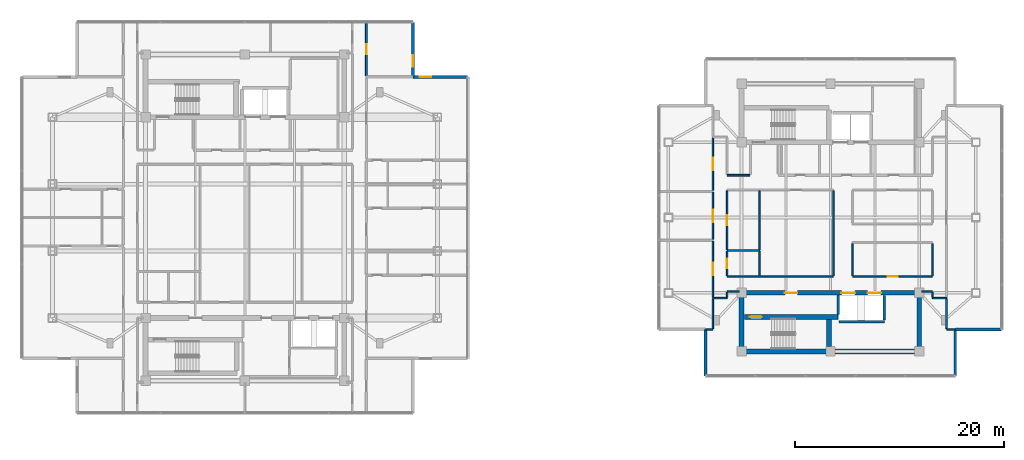
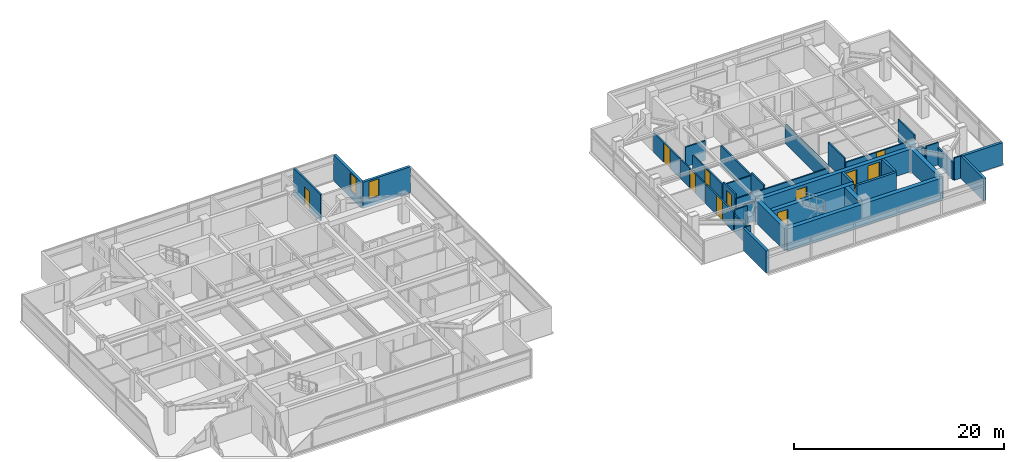
# One storey, part 14 of 21: 39 walls, 11 doors, 2 windows, 13 openings.
"""IFC4 building model written with IfcOpenShell, lengths in metres."""

from ifc_helpers import new_model, si_unit, direction, frame, frame_2d, origin, place, context, subcontext, project, spatial, rectangle, extrude, material, layer, layer_set, type_object, element, fill, save


model = new_model("IFC4")

# Units and contexts
model_context = context("Model", 3, precision=1e-05, world=origin(), true_north=direction((0.0, 1.0)))
body_context = subcontext(model_context, "Body", "Model", "MODEL_VIEW")
ifc_project = project(units=[si_unit("LENGTHUNIT", "METRE"), si_unit("AREAUNIT", "SQUARE_METRE"), si_unit("VOLUMEUNIT", "CUBIC_METRE"), si_unit("PLANEANGLEUNIT", "RADIAN"), si_unit("MASSUNIT", "GRAM", prefix="KILO")], contexts=[model_context])

# Site, building, storey
site_placement = place(None, origin())
site = spatial("IfcSite", under=ifc_project, at=site_placement, CompositionType="ELEMENT")
building_placement = place(site_placement, origin())
building = spatial("IfcBuilding", under=site, at=building_placement, Name="Mirazonda Arch Towers", CompositionType="ELEMENT")
storey_placement = place(building_placement, frame((0.0, 0.0, 206.39990234375)))
storey = spatial("IfcBuildingStorey", under=building, at=storey_placement, Name="L59", CompositionType="ELEMENT", Elevation=206.39990234375)

# Walls
ifc_material_1 = material(Name="Concrete C50/60", Category="concrete")
ifc_layer_1 = layer(ifc_material_1, 0.449951171875, Name="WALL-CORE-450")
ifc_layer_set_1 = layer_set([ifc_layer_1], Name="Concrete C50/60")
wall_type_1 = type_object("IfcWallType", Name="WALL-CORE-450", PredefinedType="SHEAR", material=ifc_layer_set_1)
wall_1_placement = place(storey_placement, frame((68.0, 15.199951171875, 0.0), z_axis=(0.0, 0.0, 1.0), x_axis=(1.0, 0.0, 0.0)))
element("IfcWall", 1, at=wall_1_placement, inside=storey, type_object=wall_type_1, Name="L59 T2S-S Core Shear Wall", PredefinedType="SHEAR", context=body_context, shape_type="SweptSolid", body=[
    extrude(rectangle(XDim=17.0, YDim=0.449951171875, at=frame_2d((8.5, 0.0))), origin(), (0.0, 0.0, 1.0), 2.60009765625),
])
for number, where, z_axis, x_axis, name in (
    (2, (68.0, 15.199951171875, 0.0), (0.0, 0.0, 1.0), (0.0, 1.0, 0.0), "L59 T2S-W Core Shear Wall"),
    (3, (85.0, 15.199951171875, 0.0), (0.0, 0.0, 1.0), (0.0, 1.0, 0.0), "L59 T2S-E Core Shear Wall"),
):
    element("IfcWall", number, at=place(storey_placement, frame(where, z_axis=z_axis, x_axis=x_axis)), inside=storey, type_object=wall_type_1, Name=name, PredefinedType="SHEAR", context=body_context, shape_type="SweptSolid", body=[
        extrude(rectangle(XDim=5.60009765625, YDim=0.449951171875, at=frame_2d((2.800048828125, 0.0))), origin(), (0.0, 0.0, 1.0), 2.60009765625),
    ])

# Wall, openings, doors
wall_2_placement = place(storey_placement, frame((68.0, 20.800048828125, 0.0), z_axis=(0.0, 0.0, 1.0), x_axis=(1.0, 0.0, 0.0)))
wall_2 = element("IfcWall", 4, at=wall_2_placement, inside=storey, type_object=wall_type_1, Name="L59 T2S-N Core Shear Wall", PredefinedType="SHEAR", context=body_context, shape_type="SweptSolid", body=[
    extrude(rectangle(XDim=17.0, YDim=0.449951171875, at=frame_2d((8.5, 0.0))), origin(), (0.0, 0.0, 1.0), 2.60009765625),
])
opening_1_placement = place(wall_2_placement, frame((4.14501953125, 0.0, 0.0)))
opening_1 = element("IfcOpeningElement", 5, at=opening_1_placement, cuts=wall_2, Name="Opening DR-117", PredefinedType="OPENING", context=body_context, shape_type="SweptSolid", body=[
    extrude(rectangle(XDim=1.199951171875, YDim=2.25, at=frame_2d((0.60009765625, 1.125))), frame((0.0, 0.23486328125, 0.0), z_axis=(0.0, -1.0, 0.0), x_axis=(1.0, 0.0, 0.0)), (0.0, 0.0, 1.0), 0.469970703125),
])
opening_2_placement = place(wall_2_placement, frame((9.550048828125, 0.0, 0.0)))
opening_2 = element("IfcOpeningElement", 6, at=opening_2_placement, cuts=wall_2, Name="Opening LD-111", PredefinedType="OPENING", context=body_context, shape_type="SweptSolid", body=[
    extrude(rectangle(XDim=1.300048828125, YDim=2.300048828125, at=frame_2d((0.64990234375, 1.14990234375))), frame((0.0, 0.23486328125, 0.0), z_axis=(0.0, -1.0, 0.0), x_axis=(1.0, 0.0, 0.0)), (0.0, 0.0, 1.0), 0.469970703125),
])
opening_3_placement = place(wall_2_placement, frame((12.050048828125, 0.0, 0.0)))
opening_3 = element("IfcOpeningElement", 7, at=opening_3_placement, cuts=wall_2, Name="Opening LD-111", PredefinedType="OPENING", context=body_context, shape_type="SweptSolid", body=[
    extrude(rectangle(XDim=1.300048828125, YDim=2.300048828125, at=frame_2d((0.64990234375, 1.14990234375))), frame((0.0, 0.23486328125, 0.0), z_axis=(0.0, -1.0, 0.0), x_axis=(1.0, 0.0, 0.0)), (0.0, 0.0, 1.0), 0.469970703125),
])
ifc_material_2 = material(Name="Architectural Brushed Steel S355", Category="steel")
door_type_1 = type_object("IfcDoorType", Name="DOOR-FFL-FD90-1200", OperationType="NOTDEFINED", PredefinedType="DOOR", material=ifc_material_2)
door_1_placement = place(opening_1_placement, origin())
door_1 = element("IfcDoor", 8, at=door_1_placement, inside=storey, type_object=door_type_1, Name="L59 East South Stair & Lift Lobby Door", OperationType="SINGLE_SWING_LEFT", OverallHeight=2.25, OverallWidth=1.199951171875, PredefinedType="DOOR", context=body_context, shape_type="SweptSolid", body=[
    extrude(rectangle(XDim=1.199951171875, YDim=2.25, at=frame_2d((0.60009765625, 1.125))), frame((0.0, 0.02490234375, 0.0), z_axis=(0.0, -1.0, 0.0), x_axis=(1.0, 0.0, 0.0)), (0.0, 0.0, 1.0), 0.050048828125),
])
fill(opening_1, door_1)
door_type_2 = type_object("IfcDoorType", Name="DOOR-LIFT-LAND-1300", OperationType="NOTDEFINED", PredefinedType="DOOR", material=ifc_material_2)
door_2_placement = place(opening_2_placement, origin())
door_2 = element("IfcDoor", 9, at=door_2_placement, inside=storey, type_object=door_type_2, Name="L59 Lift Landing Sliding Door PL-T2H1", OperationType="DOUBLE_DOOR_SLIDING", OverallHeight=2.300048828125, OverallWidth=1.300048828125, PredefinedType="DOOR", context=body_context, shape_type="SweptSolid", body=[
    extrude(rectangle(XDim=1.300048828125, YDim=2.300048828125, at=frame_2d((0.64990234375, 1.14990234375))), frame((0.0, 0.02490234375, 0.0), z_axis=(0.0, -1.0, 0.0), x_axis=(1.0, 0.0, 0.0)), (0.0, 0.0, 1.0), 0.050048828125),
])
fill(opening_2, door_2)
door_3_placement = place(opening_3_placement, origin())
door_3 = element("IfcDoor", 10, at=door_3_placement, inside=storey, type_object=door_type_2, Name="L59 Lift Landing Sliding Door PL-T2H2", OperationType="DOUBLE_DOOR_SLIDING", OverallHeight=2.300048828125, OverallWidth=1.300048828125, PredefinedType="DOOR", context=body_context, shape_type="SweptSolid", body=[
    extrude(rectangle(XDim=1.300048828125, YDim=2.300048828125, at=frame_2d((0.64990234375, 1.14990234375))), frame((0.0, 0.02490234375, 0.0), z_axis=(0.0, -1.0, 0.0), x_axis=(1.0, 0.0, 0.0)), (0.0, 0.0, 1.0), 0.050048828125),
])
fill(opening_3, door_3)

# Wall, opening, door
wall_3_placement = place(storey_placement, frame((68.27001953125, 18.5, 0.0), z_axis=(0.0, 0.0, 1.0), x_axis=(1.0, 0.0, 0.0)))
wall_3 = element("IfcWall", 11, at=wall_3_placement, inside=storey, type_object=wall_type_1, Name="L59 Stair Core Shear Wall 014", PredefinedType="SHEAR", context=body_context, shape_type="SweptSolid", body=[
    extrude(rectangle(XDim=8.949951171875, YDim=0.449951171875, at=frame_2d((4.47509765625, 0.0))), origin(), (0.0, 0.0, 1.0), 2.60009765625),
])
opening_4_placement = place(wall_3_placement, frame((0.52001953125, 0.0, 0.0)))
opening_4 = element("IfcOpeningElement", 12, at=opening_4_placement, cuts=wall_3, Name="Opening DR-135", PredefinedType="OPENING", context=body_context, shape_type="SweptSolid", body=[
    extrude(rectangle(XDim=1.14990234375, YDim=2.199951171875, at=frame_2d((0.574951171875, 1.10009765625))), frame((0.0, 0.23486328125, 0.0), z_axis=(0.0, -1.0, 0.0), x_axis=(1.0, 0.0, 0.0)), (0.0, 0.0, 1.0), 0.469970703125),
])
door_type_3 = type_object("IfcDoorType", Name="DOOR-STAIR-FD90-1150", OperationType="NOTDEFINED", PredefinedType="DOOR", material=ifc_material_2)
door_4_placement = place(opening_4_placement, origin())
door_4 = element("IfcDoor", 13, at=door_4_placement, inside=storey, type_object=door_type_3, Name="L59 East Protected Stair South Door", OperationType="SINGLE_SWING_RIGHT", OverallHeight=2.199951171875, OverallWidth=1.14990234375, PredefinedType="DOOR", context=body_context, shape_type="SweptSolid", body=[
    extrude(rectangle(XDim=1.14990234375, YDim=2.199951171875, at=frame_2d((0.574951171875, 1.10009765625))), frame((0.0, 0.02490234375, 0.0), z_axis=(0.0, -1.0, 0.0), x_axis=(1.0, 0.0, 0.0)), (0.0, 0.0, 1.0), 0.050048828125),
])
fill(opening_4, door_4)

# Wall
wall_4_placement = place(storey_placement, frame((76.360107421875, 15.6650390625, 0.0), z_axis=(0.0, 0.0, 1.0), x_axis=(0.0, 1.0, 0.0)))
element("IfcWall", 14, at=wall_4_placement, inside=storey, type_object=wall_type_1, Name="L59 Stair Core Shear Wall 123", PredefinedType="SHEAR", context=body_context, shape_type="SweptSolid", body=[
    extrude(rectangle(XDim=2.599853515625, YDim=0.449951171875, at=frame_2d((1.2998046875, 0.0))), origin(), (0.0, 0.0, 1.0), 2.60009765625),
])

# Wall, opening, window
ifc_material_3 = material(Name="Precast Concrete C40/50", Category="concrete")
ifc_layer_2 = layer(ifc_material_3, 0.280029296875, Name="WALL-EXT-WALL-280")
ifc_layer_set_2 = layer_set([ifc_layer_2], Name="Precast Concrete C40/50")
wall_type_2 = type_object("IfcWallType", Name="WALL-EXT-WALL-280", PredefinedType="SOLIDWALL", material=ifc_layer_set_2)
wall_5_placement = place(storey_placement, frame((36.574951171875, 41.4609375, 0.0), z_axis=(0.0, 0.0, 1.0), x_axis=(0.0, 1.0, 0.0)))
wall_5 = element("IfcWall", 15, at=wall_5_placement, inside=storey, type_object=wall_type_2, Name="L59 T1 Notched NE Corner Wall WL-L59-T1-CNE", PredefinedType="SOLIDWALL", context=body_context, shape_type="SweptSolid", body=[
    extrude(rectangle(XDim=5.215087890625, YDim=0.280029296875, at=frame_2d((2.607421875, 0.0))), origin(), (0.0, 0.0, 1.0), 3.030029296875),
])
opening_5_placement = place(wall_5_placement, frame((0.949951171875, 0.0, 0.85009765625)))
opening_5 = element("IfcOpeningElement", 16, at=opening_5_placement, cuts=wall_5, Name="Opening WN-108", PredefinedType="OPENING", context=body_context, shape_type="SweptSolid", body=[
    extrude(rectangle(XDim=1.10009765625, YDim=2.0, at=frame_2d((0.550048828125, 1.0))), frame((0.0, 0.14990234375, 0.0), z_axis=(0.0, -1.0, 0.0), x_axis=(1.0, 0.0, 0.0)), (0.0, 0.0, 1.0), 0.300048828125),
])
ifc_material_4 = material(Name="Insulated Low-E Solar Glass", Category="glass")
window_type = type_object("IfcWindowType", Name="WIN-NOTCH-1100x2000", PartitioningType="SINGLE_PANEL", PredefinedType="WINDOW", material=ifc_material_4)
window_1_placement = place(opening_5_placement, origin())
window_1 = element("IfcWindow", 17, at=window_1_placement, inside=storey, type_object=window_type, Name="L59 Punched Facade Window WN-L59-T1-CNE", OverallHeight=2.0, OverallWidth=1.10009765625, PartitioningType="SINGLE_PANEL", PredefinedType="WINDOW", context=body_context, shape_type="SweptSolid", body=[
    extrude(rectangle(XDim=1.10009765625, YDim=2.0, at=frame_2d((0.550048828125, 1.0))), frame((0.0, 0.030029296875, 0.0), z_axis=(0.0, -1.0, 0.0), x_axis=(1.0, 0.0, 0.0)), (0.0, 0.0, 1.0), 0.06005859375),
])
fill(opening_5, window_1)

wall_6_placement = place(storey_placement, frame((41.7900390625, 41.4609375, 0.0), z_axis=(0.0, 0.0, 1.0), x_axis=(-1.0, 0.0, 0.0)))
wall_6 = element("IfcWall", 18, at=wall_6_placement, inside=storey, type_object=wall_type_2, Name="L59 T1 Corner Notch Return Wall WL-L59-T1-CNE2", PredefinedType="SOLIDWALL", context=body_context, shape_type="SweptSolid", body=[
    extrude(rectangle(XDim=5.215087890625, YDim=0.280029296875, at=frame_2d((2.607421875, 0.0))), origin(), (0.0, 0.0, 1.0), 3.030029296875),
])
opening_6_placement = place(wall_6_placement, frame((3.465087890625, 0.0, 0.85009765625)))
opening_6 = element("IfcOpeningElement", 19, at=opening_6_placement, cuts=wall_6, Name="Opening WN-108", PredefinedType="OPENING", context=body_context, shape_type="SweptSolid", body=[
    extrude(rectangle(XDim=1.10009765625, YDim=2.0, at=frame_2d((0.550048828125, 1.0))), frame((0.0, 0.14990234375, 0.0), z_axis=(0.0, -1.0, 0.0), x_axis=(1.0, 0.0, 0.0)), (0.0, 0.0, 1.0), 0.300048828125),
])
window_2_placement = place(opening_6_placement, origin())
window_2 = element("IfcWindow", 20, at=window_2_placement, inside=storey, type_object=window_type, Name="L59 Punched Facade Window WN-L59-T1-CNE2", OverallHeight=2.0, OverallWidth=1.10009765625, PartitioningType="SINGLE_PANEL", PredefinedType="WINDOW", context=body_context, shape_type="SweptSolid", body=[
    extrude(rectangle(XDim=1.10009765625, YDim=2.0, at=frame_2d((0.550048828125, 1.0))), frame((0.0, 0.030029296875, 0.0), z_axis=(0.0, -1.0, 0.0), x_axis=(1.0, 0.0, 0.0)), (0.0, 0.0, 1.0), 0.06005859375),
])
fill(opening_6, window_2)

# Walls
for number, where, z_axis, x_axis, name in (
    (21, (64.562255859375, 17.30126953125, 0.0), (0.0, 0.0, 1.0), (0.0, -1.0, 0.0), "L59 T2 Notched SW Corner Wall WL-L59-T2-CSW"),
    (22, (88.437744140625, 17.30126953125, 0.0), (0.0, 0.0, 1.0), (1.0, 0.0, 0.0), "L59 T2 Corner Notch Return Wall WL-L59-T2-CSE1"),
    (23, (88.437744140625, 12.861572265625, 0.0), (0.0, 0.0, 1.0), (0.0, 1.0, 0.0), "L59 T2 Corner Notch Return Wall WL-L59-T2-CSE2"),
):
    element("IfcWall", number, at=place(storey_placement, frame(where, z_axis=z_axis, x_axis=x_axis)), inside=storey, type_object=wall_type_2, Name=name, PredefinedType="SOLIDWALL", context=body_context, shape_type="SweptSolid", body=[
        extrude(rectangle(XDim=4.439697265625, YDim=0.280029296875, at=frame_2d((2.2197265625, 0.0))), origin(), (0.0, 0.0, 1.0), 2.580078125),
    ])
ifc_material_5 = material(Name="Fire-Rated Gypsum Stud Partition")
ifc_layer_3 = layer(ifc_material_5, 0.14990234375, Name="WALL-PART-CORR-150")
ifc_layer_set_3 = layer_set([ifc_layer_3], Name="Fire-Rated Gypsum Stud Partition")
wall_type_3 = type_object("IfcWallType", Name="WALL-PART-CORR-150", PredefinedType="PARTITIONING", material=ifc_layer_set_3)
wall_7_placement = place(storey_placement, frame((64.582275390625, 17.301025390625, 0.0), z_axis=(0.0, 0.0, 1.0), x_axis=(1.0, 0.0, 0.0)))
element("IfcWall", 24, at=wall_7_placement, inside=storey, type_object=wall_type_3, Name="L59 Interior Partition 009", PredefinedType="PARTITIONING", context=body_context, shape_type="SweptSolid", body=[
    extrude(rectangle(XDim=0.667724609375, YDim=0.14990234375, at=frame_2d((0.333984375, 0.0))), origin(), (0.0, 0.0, 1.0), 2.60009765625),
])
wall_8_placement = place(storey_placement, frame((87.60009765625, 17.301025390625, 0.0), z_axis=(0.0, 0.0, 1.0), x_axis=(1.0, 0.0, 0.0)))
element("IfcWall", 25, at=wall_8_placement, inside=storey, type_object=wall_type_3, Name="L59 Interior Partition 010", PredefinedType="PARTITIONING", context=body_context, shape_type="SweptSolid", body=[
    extrude(rectangle(XDim=0.817626953125, YDim=0.14990234375, at=frame_2d((0.40869140625, 0.0))), origin(), (0.0, 0.0, 1.0), 2.60009765625),
])
wall_9_placement = place(storey_placement, frame((65.25, 20.300048828125, 0.0), z_axis=(0.0, 0.0, 1.0), x_axis=(1.0, 0.0, 0.0)))
element("IfcWall", 26, at=wall_9_placement, inside=storey, type_object=wall_type_3, Name="L59 Interior Partition 016", PredefinedType="PARTITIONING", context=body_context, shape_type="SweptSolid", body=[
    extrude(rectangle(XDim=1.3701171875, YDim=0.14990234375, at=frame_2d((0.68505859375, 0.0))), origin(), (0.0, 0.0, 1.0), 2.60009765625),
])
wall_10_placement = place(storey_placement, frame((86.25, 20.300048828125, 0.0), z_axis=(0.0, 0.0, 1.0), x_axis=(1.0, 0.0, 0.0)))
element("IfcWall", 27, at=wall_10_placement, inside=storey, type_object=wall_type_3, Name="L59 Interior Partition 017", PredefinedType="PARTITIONING", context=body_context, shape_type="SweptSolid", body=[
    extrude(rectangle(XDim=1.35009765625, YDim=0.14990234375, at=frame_2d((0.675048828125, 0.0))), origin(), (0.0, 0.0, 1.0), 2.60009765625),
])
wall_11_placement = place(storey_placement, frame((66.6201171875, 20.949951171875, 0.0), z_axis=(0.0, 0.0, 1.0), x_axis=(1.0, 0.0, 0.0)))
element("IfcWall", 28, at=wall_11_placement, inside=storey, type_object=wall_type_3, Name="L59 Interior Partition 018", PredefinedType="PARTITIONING", context=body_context, shape_type="SweptSolid", body=[
    extrude(rectangle(XDim=1.159912109375, YDim=0.14990234375, at=frame_2d((0.580078125, 0.0))), origin(), (0.0, 0.0, 1.0), 2.26220703125),
])
wall_12_placement = place(storey_placement, frame((85.219970703125, 20.949951171875, 0.0), z_axis=(0.0, 0.0, 1.0), x_axis=(1.0, 0.0, 0.0)))
element("IfcWall", 29, at=wall_12_placement, inside=storey, type_object=wall_type_3, Name="L59 Interior Partition 019", PredefinedType="PARTITIONING", context=body_context, shape_type="SweptSolid", body=[
    extrude(rectangle(XDim=1.030029296875, YDim=0.14990234375, at=frame_2d((0.51513671875, 0.0))), origin(), (0.0, 0.0, 1.0), 2.26220703125),
])
wall_13_placement = place(storey_placement, frame((66.6201171875, 22.35009765625, 0.0), z_axis=(0.0, 0.0, 1.0), x_axis=(1.0, 0.0, 0.0)))
element("IfcWall", 30, at=wall_13_placement, inside=storey, type_object=wall_type_3, Name="L59 Interior Partition 021", PredefinedType="PARTITIONING", context=body_context, shape_type="SweptSolid", body=[
    extrude(rectangle(XDim=10.139892578125, YDim=0.14990234375, at=frame_2d((5.06982421875, 0.0))), origin(), (0.0, 0.0, 1.0), 2.175048828125),
])

# Wall, opening, door
wall_14_placement = place(storey_placement, frame((78.639892578125, 22.35009765625, 0.0), z_axis=(0.0, 0.0, 1.0), x_axis=(1.0, 0.0, 0.0)))
wall_14 = element("IfcWall", 31, at=wall_14_placement, inside=storey, type_object=wall_type_3, Name="L59 Interior Partition 022", PredefinedType="PARTITIONING", context=body_context, shape_type="SweptSolid", body=[
    extrude(rectangle(XDim=7.610107421875, YDim=0.14990234375, at=frame_2d((3.80517578125, 0.0))), origin(), (0.0, 0.0, 1.0), 2.175048828125),
])
opening_7_placement = place(wall_14_placement, frame((3.330078125, 0.0, 0.0)))
opening_7 = element("IfcOpeningElement", 32, at=opening_7_placement, cuts=wall_14, Name="Opening DR-104", PredefinedType="OPENING", context=body_context, shape_type="SweptSolid", body=[
    extrude(rectangle(XDim=0.949951171875, YDim=2.14990234375, at=frame_2d((0.47509765625, 1.074951171875))), frame((0.0, 0.0849609375, 0.0), z_axis=(0.0, -1.0, 0.0), x_axis=(1.0, 0.0, 0.0)), (0.0, 0.0, 1.0), 0.169921875),
])
door_type_4 = type_object("IfcDoorType", Name="DOOR-ROOM-950", OperationType="NOTDEFINED", PredefinedType="DOOR", material=ifc_material_2)
door_5_placement = place(opening_7_placement, origin())
door_5 = element("IfcDoor", 33, at=door_5_placement, inside=storey, type_object=door_type_4, Name="L59 L59 Tower 2 South-East Salon Door", OperationType="SINGLE_SWING_RIGHT", OverallHeight=2.14990234375, OverallWidth=0.949951171875, PredefinedType="DOOR", context=body_context, shape_type="SweptSolid", body=[
    extrude(rectangle(XDim=0.949951171875, YDim=2.14990234375, at=frame_2d((0.47509765625, 1.074951171875))), frame((0.0, 0.02490234375, 0.0), z_axis=(0.0, -1.0, 0.0), x_axis=(1.0, 0.0, 0.0)), (0.0, 0.0, 1.0), 0.050048828125),
])
fill(opening_7, door_5)

# Walls
wall_15_placement = place(storey_placement, frame((66.6201171875, 24.85009765625, 0.0), z_axis=(0.0, 0.0, 1.0), x_axis=(1.0, 0.0, 0.0)))
element("IfcWall", 34, at=wall_15_placement, inside=storey, type_object=wall_type_3, Name="L59 Interior Partition 025", PredefinedType="PARTITIONING", context=body_context, shape_type="SweptSolid", body=[
    extrude(rectangle(XDim=3.1298828125, YDim=0.14990234375, at=frame_2d((1.56494140625, 0.0))), origin(), (0.0, 0.0, 1.0), 2.26220703125),
])
wall_16_placement = place(storey_placement, frame((66.6201171875, 32.050048828125, 0.0), z_axis=(0.0, 0.0, 1.0), x_axis=(1.0, 0.0, 0.0)))
element("IfcWall", 35, at=wall_16_placement, inside=storey, type_object=wall_type_3, Name="L59 Interior Partition 037", PredefinedType="PARTITIONING", context=body_context, shape_type="SweptSolid", body=[
    extrude(rectangle(XDim=2.179931640625, YDim=0.14990234375, at=frame_2d((1.08984375, 0.0))), origin(), (0.0, 0.0, 1.0), 2.26220703125),
])
wall_17_placement = place(storey_placement, frame((65.25, 17.385986328125, 0.0), z_axis=(0.0, 0.0, 1.0), x_axis=(0.0, 1.0, 0.0)))
element("IfcWall", 36, at=wall_17_placement, inside=storey, type_object=wall_type_3, Name="L59 Interior Partition 108", PredefinedType="PARTITIONING", context=body_context, shape_type="SweptSolid", body=[
    extrude(rectangle(XDim=2.8291015625, YDim=0.14990234375, at=frame_2d((1.41455078125, 0.0))), origin(), (0.0, 0.0, 1.0), 2.043212890625),
])

# Wall, opening, door
wall_18_placement = place(storey_placement, frame((65.25, 20.385009765625, 0.0), z_axis=(0.0, 0.0, 1.0), x_axis=(0.0, 1.0, 0.0)))
wall_18 = element("IfcWall", 37, at=wall_18_placement, inside=storey, type_object=wall_type_3, Name="L59 Interior Partition 109", PredefinedType="PARTITIONING", context=body_context, shape_type="SweptSolid", body=[
    extrude(rectangle(XDim=5.364013671875, YDim=0.14990234375, at=frame_2d((2.68212890625, 0.0))), origin(), (0.0, 0.0, 1.0), 2.26220703125),
])
opening_8_placement = place(wall_18_placement, frame((2.08203125, 0.0, 0.0)))
opening_8 = element("IfcOpeningElement", 38, at=opening_8_placement, cuts=wall_18, Name="Opening DR-117", PredefinedType="OPENING", context=body_context, shape_type="SweptSolid", body=[
    extrude(rectangle(XDim=1.199951171875, YDim=2.25, at=frame_2d((0.60009765625, 1.125))), frame((0.0, 0.0849609375, 0.0), z_axis=(0.0, -1.0, 0.0), x_axis=(1.0, 0.0, 0.0)), (0.0, 0.0, 1.0), 0.169921875),
])
door_6_placement = place(opening_8_placement, origin())
door_6 = element("IfcDoor", 39, at=door_6_placement, inside=storey, type_object=door_type_1, Name="L59 Collectors Cigar & Library Study 1 Door", OperationType="SINGLE_SWING_RIGHT", OverallHeight=2.25, OverallWidth=1.199951171875, PredefinedType="DOOR", context=body_context, shape_type="SweptSolid", body=[
    extrude(rectangle(XDim=1.199951171875, YDim=2.25, at=frame_2d((0.60009765625, 1.125))), frame((0.0, 0.02490234375, 0.0), z_axis=(0.0, -1.0, 0.0), x_axis=(1.0, 0.0, 0.0)), (0.0, 0.0, 1.0), 0.050048828125),
])
fill(opening_8, door_6)

wall_19_placement = place(storey_placement, frame((65.25, 25.9189453125, 0.0), z_axis=(0.0, 0.0, 1.0), x_axis=(0.0, 1.0, 0.0)))
wall_19 = element("IfcWall", 40, at=wall_19_placement, inside=storey, type_object=wall_type_3, Name="L59 Interior Partition 110", PredefinedType="PARTITIONING", context=body_context, shape_type="SweptSolid", body=[
    extrude(rectangle(XDim=4.504150390625, YDim=0.14990234375, at=frame_2d((2.251953125, 0.0))), origin(), (0.0, 0.0, 1.0), 2.26220703125),
])
opening_9_placement = place(wall_19_placement, frame((1.652099609375, 0.0, 0.0)))
opening_9 = element("IfcOpeningElement", 41, at=opening_9_placement, cuts=wall_19, Name="Opening DR-117", PredefinedType="OPENING", context=body_context, shape_type="SweptSolid", body=[
    extrude(rectangle(XDim=1.199951171875, YDim=2.25, at=frame_2d((0.60009765625, 1.125))), frame((0.0, 0.0849609375, 0.0), z_axis=(0.0, -1.0, 0.0), x_axis=(1.0, 0.0, 0.0)), (0.0, 0.0, 1.0), 0.169921875),
])
door_7_placement = place(opening_9_placement, origin())
door_7 = element("IfcDoor", 42, at=door_7_placement, inside=storey, type_object=door_type_1, Name="L59 Sommelier Tasting Gallery 2 Door", OperationType="SINGLE_SWING_LEFT", OverallHeight=2.25, OverallWidth=1.199951171875, PredefinedType="DOOR", context=body_context, shape_type="SweptSolid", body=[
    extrude(rectangle(XDim=1.199951171875, YDim=2.25, at=frame_2d((0.60009765625, 1.125))), frame((0.0, 0.02490234375, 0.0), z_axis=(0.0, -1.0, 0.0), x_axis=(1.0, 0.0, 0.0)), (0.0, 0.0, 1.0), 0.050048828125),
])
fill(opening_9, door_7)

wall_20_placement = place(storey_placement, frame((65.25, 30.593017578125, 0.0), z_axis=(0.0, 0.0, 1.0), x_axis=(0.0, 1.0, 0.0)))
wall_20 = element("IfcWall", 43, at=wall_20_placement, inside=storey, type_object=wall_type_3, Name="L59 Interior Partition 111", PredefinedType="PARTITIONING", context=body_context, shape_type="SweptSolid", body=[
    extrude(rectangle(XDim=5.02197265625, YDim=0.14990234375, at=frame_2d((2.510986328125, 0.0))), origin(), (0.0, 0.0, 1.0), 2.26220703125),
])
opening_10_placement = place(wall_20_placement, frame((1.910888671875, 0.0, 0.0)))
opening_10 = element("IfcOpeningElement", 44, at=opening_10_placement, cuts=wall_20, Name="Opening DR-117", PredefinedType="OPENING", context=body_context, shape_type="SweptSolid", body=[
    extrude(rectangle(XDim=1.199951171875, YDim=2.25, at=frame_2d((0.60009765625, 1.125))), frame((0.0, 0.0849609375, 0.0), z_axis=(0.0, -1.0, 0.0), x_axis=(1.0, 0.0, 0.0)), (0.0, 0.0, 1.0), 0.169921875),
])
door_8_placement = place(opening_10_placement, origin())
door_8 = element("IfcDoor", 45, at=door_8_placement, inside=storey, type_object=door_type_1, Name="L59 Crown Sunset Conservatory 3 Door", OperationType="SINGLE_SWING_RIGHT", OverallHeight=2.25, OverallWidth=1.199951171875, PredefinedType="DOOR", context=body_context, shape_type="SweptSolid", body=[
    extrude(rectangle(XDim=1.199951171875, YDim=2.25, at=frame_2d((0.60009765625, 1.125))), frame((0.0, 0.02490234375, 0.0), z_axis=(0.0, -1.0, 0.0), x_axis=(1.0, 0.0, 0.0)), (0.0, 0.0, 1.0), 0.050048828125),
])
fill(opening_10, door_8)

# Wall
wall_21_placement = place(storey_placement, frame((66.6201171875, 20.385009765625, 0.0), z_axis=(0.0, 0.0, 1.0), x_axis=(0.0, 1.0, 0.0)))
element("IfcWall", 46, at=wall_21_placement, inside=storey, type_object=wall_type_3, Name="L59 Interior Partition 113", PredefinedType="PARTITIONING", context=body_context, shape_type="SweptSolid", body=[
    extrude(rectangle(XDim=0.47998046875, YDim=0.14990234375, at=frame_2d((0.239990234375, 0.0))), origin(), (0.0, 0.0, 1.0), 2.26220703125),
])

# Wall, opening, door
wall_22_placement = place(storey_placement, frame((66.6201171875, 22.43505859375, 0.0), z_axis=(0.0, 0.0, 1.0), x_axis=(0.0, 1.0, 0.0)))
wall_22 = element("IfcWall", 47, at=wall_22_placement, inside=storey, type_object=wall_type_3, Name="L59 Interior Partition 114", PredefinedType="PARTITIONING", context=body_context, shape_type="SweptSolid", body=[
    extrude(rectangle(XDim=2.329833984375, YDim=0.14990234375, at=frame_2d((1.1650390625, 0.0))), origin(), (0.0, 0.0, 1.0), 2.60009765625),
])
opening_11_placement = place(wall_22_placement, frame((0.715087890625, 0.0, 0.0)))
opening_11 = element("IfcOpeningElement", 48, at=opening_11_placement, cuts=wall_22, Name="Opening DR-120", PredefinedType="OPENING", context=body_context, shape_type="SweptSolid", body=[
    extrude(rectangle(XDim=0.89990234375, YDim=2.10009765625, at=frame_2d((0.449951171875, 1.050048828125))), frame((0.0, 0.0849609375, 0.0), z_axis=(0.0, -1.0, 0.0), x_axis=(1.0, 0.0, 0.0)), (0.0, 0.0, 1.0), 0.169921875),
])
door_type_5 = type_object("IfcDoorType", Name="DOOR-WC-900", OperationType="NOTDEFINED", PredefinedType="DOOR", material=ifc_material_2)
door_9_placement = place(opening_11_placement, origin())
door_9 = element("IfcDoor", 49, at=door_9_placement, inside=storey, type_object=door_type_5, Name="L59 Tower 2 Common Accessible WC Door", OperationType="SINGLE_SWING_LEFT", OverallHeight=2.10009765625, OverallWidth=0.89990234375, PredefinedType="DOOR", context=body_context, shape_type="SweptSolid", body=[
    extrude(rectangle(XDim=0.89990234375, YDim=2.10009765625, at=frame_2d((0.449951171875, 1.050048828125))), frame((0.0, 0.02490234375, 0.0), z_axis=(0.0, -1.0, 0.0), x_axis=(1.0, 0.0, 0.0)), (0.0, 0.0, 1.0), 0.050048828125),
])
fill(opening_11, door_9)

wall_23_placement = place(storey_placement, frame((66.6201171875, 24.93505859375, 0.0), z_axis=(0.0, 0.0, 1.0), x_axis=(0.0, 1.0, 0.0)))
wall_23 = element("IfcWall", 50, at=wall_23_placement, inside=storey, type_object=wall_type_3, Name="L59 Interior Partition 115", PredefinedType="PARTITIONING", context=body_context, shape_type="SweptSolid", body=[
    extrude(rectangle(XDim=5.6298828125, YDim=0.14990234375, at=frame_2d((2.81494140625, 0.0))), origin(), (0.0, 0.0, 1.0), 2.26220703125),
])
opening_12_placement = place(wall_23_placement, frame((2.340087890625, 0.0, 0.0)))
opening_12 = element("IfcOpeningElement", 51, at=opening_12_placement, cuts=wall_23, Name="Opening DR-104", PredefinedType="OPENING", context=body_context, shape_type="SweptSolid", body=[
    extrude(rectangle(XDim=0.949951171875, YDim=2.14990234375, at=frame_2d((0.47509765625, 1.074951171875))), frame((0.0, 0.0849609375, 0.0), z_axis=(0.0, -1.0, 0.0), x_axis=(1.0, 0.0, 0.0)), (0.0, 0.0, 1.0), 0.169921875),
])
door_10_placement = place(opening_12_placement, origin())
door_10 = element("IfcDoor", 52, at=door_10_placement, inside=storey, type_object=door_type_4, Name="L59 L59 East Courtyard Reading Study Door", OperationType="SINGLE_SWING_RIGHT", OverallHeight=2.14990234375, OverallWidth=0.949951171875, PredefinedType="DOOR", context=body_context, shape_type="SweptSolid", body=[
    extrude(rectangle(XDim=0.949951171875, YDim=2.14990234375, at=frame_2d((0.47509765625, 1.074951171875))), frame((0.0, 0.02490234375, 0.0), z_axis=(0.0, -1.0, 0.0), x_axis=(1.0, 0.0, 0.0)), (0.0, 0.0, 1.0), 0.050048828125),
])
fill(opening_12, door_10)

# Walls
wall_24_placement = place(storey_placement, frame((69.723388671875, 22.43505859375, 0.0), z_axis=(0.0, 0.0, 1.0), x_axis=(0.0, 1.0, 0.0)))
element("IfcWall", 53, at=wall_24_placement, inside=storey, type_object=wall_type_3, Name="L59 Interior Partition 118", PredefinedType="PARTITIONING", context=body_context, shape_type="SweptSolid", body=[
    extrude(rectangle(XDim=2.329833984375, YDim=0.14990234375, at=frame_2d((1.1650390625, 0.0))), origin(), (0.0, 0.0, 1.0), 2.60009765625),
])
wall_25_placement = place(storey_placement, frame((69.723388671875, 24.93505859375, 0.0), z_axis=(0.0, 0.0, 1.0), x_axis=(0.0, 1.0, 0.0)))
element("IfcWall", 54, at=wall_25_placement, inside=storey, type_object=wall_type_3, Name="L59 Interior Partition 119", PredefinedType="PARTITIONING", context=body_context, shape_type="SweptSolid", body=[
    extrude(rectangle(XDim=5.6298828125, YDim=0.14990234375, at=frame_2d((2.81494140625, 0.0))), origin(), (0.0, 0.0, 1.0), 2.26220703125),
])
wall_26_placement = place(storey_placement, frame((76.800048828125, 22.43505859375, 0.0), z_axis=(0.0, 0.0, 1.0), x_axis=(0.0, 1.0, 0.0)))
element("IfcWall", 55, at=wall_26_placement, inside=storey, type_object=wall_type_3, Name="L59 Interior Partition 125", PredefinedType="PARTITIONING", context=body_context, shape_type="SweptSolid", body=[
    extrude(rectangle(XDim=8.1298828125, YDim=0.14990234375, at=frame_2d((4.06494140625, 0.0))), origin(), (0.0, 0.0, 1.0), 2.26220703125),
])
wall_27_placement = place(storey_placement, frame((78.60009765625, 22.43505859375, 0.0), z_axis=(0.0, 0.0, 1.0), x_axis=(0.0, 1.0, 0.0)))
element("IfcWall", 56, at=wall_27_placement, inside=storey, type_object=wall_type_3, Name="L59 Interior Partition 127", PredefinedType="PARTITIONING", context=body_context, shape_type="SweptSolid", body=[
    extrude(rectangle(XDim=3.079833984375, YDim=0.14990234375, at=frame_2d((1.5400390625, 0.0))), origin(), (0.0, 0.0, 1.0), 2.60009765625),
])
wall_28_placement = place(storey_placement, frame((86.25, 20.385009765625, 0.0), z_axis=(0.0, 0.0, 1.0), x_axis=(0.0, 1.0, 0.0)))
element("IfcWall", 57, at=wall_28_placement, inside=storey, type_object=wall_type_3, Name="L59 Interior Partition 135", PredefinedType="PARTITIONING", context=body_context, shape_type="SweptSolid", body=[
    extrude(rectangle(XDim=0.47998046875, YDim=0.14990234375, at=frame_2d((0.239990234375, 0.0))), origin(), (0.0, 0.0, 1.0), 2.26220703125),
])
wall_29_placement = place(storey_placement, frame((86.25, 22.43505859375, 0.0), z_axis=(0.0, 0.0, 1.0), x_axis=(0.0, 1.0, 0.0)))
element("IfcWall", 58, at=wall_29_placement, inside=storey, type_object=wall_type_3, Name="L59 Interior Partition 136", PredefinedType="PARTITIONING", context=body_context, shape_type="SweptSolid", body=[
    extrude(rectangle(XDim=3.079833984375, YDim=0.14990234375, at=frame_2d((1.5400390625, 0.0))), origin(), (0.0, 0.0, 1.0), 2.60009765625),
])
wall_30_placement = place(storey_placement, frame((87.60009765625, 17.385986328125, 0.0), z_axis=(0.0, 0.0, 1.0), x_axis=(0.0, 1.0, 0.0)))
element("IfcWall", 59, at=wall_30_placement, inside=storey, type_object=wall_type_3, Name="L59 Interior Partition 139", PredefinedType="PARTITIONING", context=body_context, shape_type="SweptSolid", body=[
    extrude(rectangle(XDim=2.8291015625, YDim=0.14990234375, at=frame_2d((1.41455078125, 0.0))), origin(), (0.0, 0.0, 1.0), 2.043212890625),
])

# Wall, opening, door
ifc_material_6 = material(Name="Fire-Rated Gypsum Twin-Stud Assembly")
ifc_layer_4 = layer(ifc_material_6, 0.179931640625, Name="WALL-PART-DEMISE-180")
ifc_layer_set_4 = layer_set([ifc_layer_4], Name="Fire-Rated Gypsum Twin-Stud Assembly")
wall_type_4 = type_object("IfcWallType", Name="WALL-PART-DEMISE-180", PredefinedType="PARTITIONING", material=ifc_layer_set_4)
wall_31_placement = place(storey_placement, frame((32.1201171875, 41.56103515625, 0.0), z_axis=(0.0, 0.0, 1.0), x_axis=(0.0, 1.0, 0.0)))
wall_31 = element("IfcWall", 60, at=wall_31_placement, inside=storey, type_object=wall_type_4, Name="L59 Interior Partition 104", PredefinedType="PARTITIONING", context=body_context, shape_type="SweptSolid", body=[
    extrude(rectangle(XDim=5.114990234375, YDim=0.179931640625, at=frame_2d((2.5576171875, 0.0))), origin(), (0.0, 0.0, 1.0), 3.050048828125),
])
opening_13_placement = place(wall_31_placement, frame((2.08251953125, 0.0, 0.0)))
opening_13 = element("IfcOpeningElement", 61, at=opening_13_placement, cuts=wall_31, Name="Opening DR-104", PredefinedType="OPENING", context=body_context, shape_type="SweptSolid", body=[
    extrude(rectangle(XDim=0.949951171875, YDim=2.14990234375, at=frame_2d((0.47509765625, 1.074951171875))), frame((0.0, 0.099853515625, 0.0), z_axis=(0.0, -1.0, 0.0), x_axis=(1.0, 0.0, 0.0)), (0.0, 0.0, 1.0), 0.199951171875),
])
door_11_placement = place(opening_13_placement, origin())
door_11 = element("IfcDoor", 62, at=door_11_placement, inside=storey, type_object=door_type_4, Name="L59 North Reading Salon Alcove East Door", OperationType="SINGLE_SWING_RIGHT", OverallHeight=2.14990234375, OverallWidth=0.949951171875, PredefinedType="DOOR", context=body_context, shape_type="SweptSolid", body=[
    extrude(rectangle(XDim=0.949951171875, YDim=2.14990234375, at=frame_2d((0.47509765625, 1.074951171875))), frame((0.0, 0.02490234375, 0.0), z_axis=(0.0, -1.0, 0.0), x_axis=(1.0, 0.0, 0.0)), (0.0, 0.0, 1.0), 0.050048828125),
])
fill(opening_13, door_11)

# Walls
ifc_material_7 = material(Name="Concrete C40/50", Category="concrete")
ifc_layer_5 = layer(ifc_material_7, 0.25, Name="WALL-SHAFT-250")
ifc_layer_set_5 = layer_set([ifc_layer_5], Name="Concrete C40/50")
wall_type_5 = type_object("IfcWallType", Name="WALL-SHAFT-250", PredefinedType="SOLIDWALL", material=ifc_layer_set_5)
wall_32_placement = place(storey_placement, frame((77.300048828125, 18.050048828125, 0.0), z_axis=(0.0, 0.0, 1.0), x_axis=(1.0, 0.0, 0.0)))
element("IfcWall", 63, at=wall_32_placement, inside=storey, type_object=wall_type_5, Name="L59 Interior Partition 011", PredefinedType="SOLIDWALL", context=body_context, shape_type="SweptSolid", body=[
    extrude(rectangle(XDim=4.349853515625, YDim=0.25, at=frame_2d((2.1748046875, 0.0))), origin(), (0.0, 0.0, 1.0), 2.60009765625),
])
wall_33_placement = place(storey_placement, frame((77.260009765625, 18.735107421875, 0.0), z_axis=(0.0, 0.0, 1.0), x_axis=(0.0, 1.0, 0.0)))
element("IfcWall", 64, at=wall_33_placement, inside=storey, type_object=wall_type_5, Name="L59 Interior Partition 126", PredefinedType="SOLIDWALL", context=body_context, shape_type="SweptSolid", body=[
    extrude(rectangle(XDim=1.844970703125, YDim=0.25, at=frame_2d((0.92236328125, 0.0))), origin(), (0.0, 0.0, 1.0), 2.60009765625),
])
wall_34_placement = place(storey_placement, frame((81.64990234375, 18.18505859375, 0.0), z_axis=(0.0, 0.0, 1.0), x_axis=(0.0, 1.0, 0.0)))
element("IfcWall", 65, at=wall_34_placement, inside=storey, type_object=wall_type_5, Name="L59 Interior Partition 132", PredefinedType="SOLIDWALL", context=body_context, shape_type="SweptSolid", body=[
    extrude(rectangle(XDim=2.364990234375, YDim=0.25, at=frame_2d((1.1826171875, 0.0))), origin(), (0.0, 0.0, 1.0), 2.60009765625),
])

save(model, "model.ifc")
